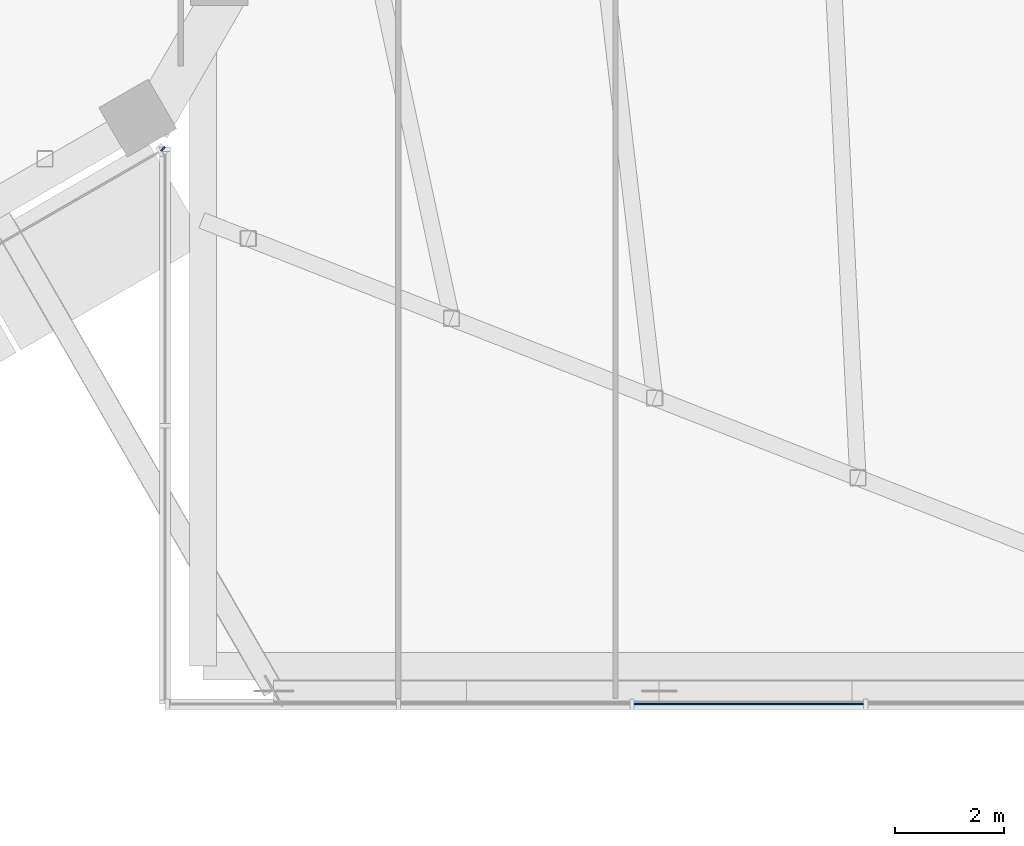
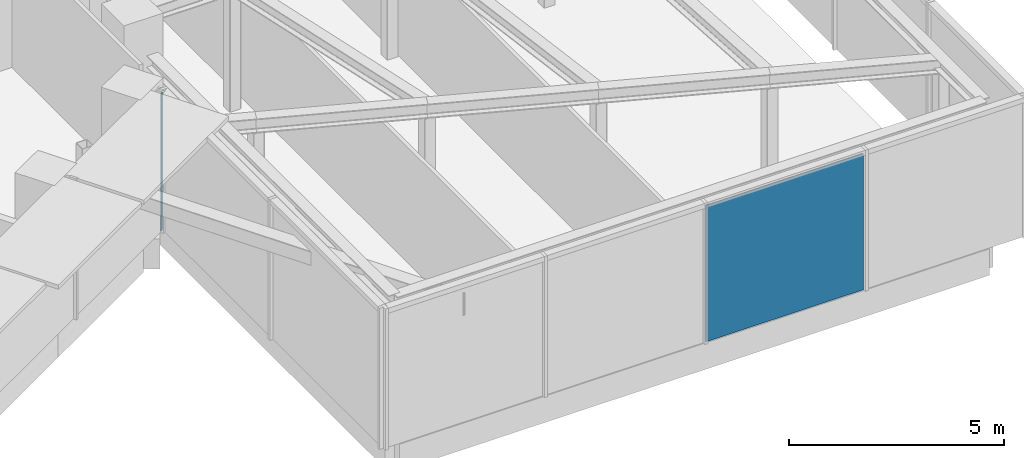
# One storey, part 12 of 24: 2 plates, 2 elements without a shape of their own.
"""IFC4 building model written with IfcOpenShell, lengths in metres."""

from ifc_helpers import new_model, si_unit, direction, frame, origin, origin_2d, place, context, subcontext, project, spatial, rectangle, extrude, material, layer, layer_set, type_object, element, aggregate, save


model = new_model("IFC4")

# Units and contexts
model_context = context("Model", 3, precision=1e-05, world=origin(), true_north=direction((0.0, 1.0)))
body_context = subcontext(model_context, "Body", "Model", "MODEL_VIEW")
ifc_project = project(units=[si_unit("LENGTHUNIT", "METRE"), si_unit("AREAUNIT", "SQUARE_METRE"), si_unit("VOLUMEUNIT", "CUBIC_METRE"), si_unit("PLANEANGLEUNIT", "RADIAN"), si_unit("MASSUNIT", "GRAM", prefix="KILO")], contexts=[model_context])

# Site, building, storey
site_placement = place(None, origin())
site = spatial("IfcSite", under=ifc_project, at=site_placement, CompositionType="ELEMENT")
building_placement = place(site_placement, origin())
building = spatial("IfcBuilding", under=site, at=building_placement, Name="Ayvan Gate Tower", CompositionType="ELEMENT")
storey_placement = place(building_placement, frame((0.0, 0.0, 128.5)))
storey = spatial("IfcBuildingStorey", under=building, at=storey_placement, Name="L34", CompositionType="ELEMENT", Elevation=128.5)

# Curtain wall, plate
ifc_material_1 = material(Name="Bronze anodised aluminium", Category="aluminium")
ifc_layer_1 = layer(ifc_material_1, 0.199951171875)
ifc_layer_set_1 = layer_set([ifc_layer_1], Name="Bronze anodised aluminium")
curtain_wall_type_1 = type_object("IfcCurtainWallType", Name="Stick curtain wall CW-4", PredefinedType="NOTDEFINED", material=ifc_layer_set_1)
curtain_wall_1_placement = place(storey_placement, origin())
curtain_wall_1 = element("IfcCurtainWall", 1, at=curtain_wall_1_placement, inside=storey, type_object=curtain_wall_type_1, Name="Stick curtain wall CW-4 L34", PredefinedType="NOTDEFINED")
ifc_material_2 = material(Name="Pale anodised aluminium composite panel", Category="aluminium")
ifc_layer_2 = layer(ifc_material_2, 0.028076171875)
ifc_layer_set_2 = layer_set([ifc_layer_2], Name="Pale anodised aluminium composite panel")
plate_type_1 = type_object("IfcPlateType", Name="Stick curtain wall CW-4 solid panel", PredefinedType="CURTAIN_PANEL", material=ifc_layer_set_2)
plate_1_placement = place(storey_placement, frame((29.235595703125, -21.949951171875, 0.0), z_axis=(0.0, 0.0, 1.0), x_axis=(1.0, 0.0, 0.0)))
plate_1 = element("IfcPlate", 2, at=plate_1_placement, type_object=plate_type_1, Name="CW-4 solid panel 3", PredefinedType="CURTAIN_PANEL", context=body_context, shape_type="SweptSolid", body=[
    extrude(rectangle(XDim=4.219970703125, YDim=0.028076171875, at=origin_2d()), origin(), (0.0, 0.0, 1.0), 3.860107421875),
])
aggregate(curtain_wall_1, [plate_1])

ifc_layer_3 = layer(ifc_material_1, 0.199951171875)
ifc_layer_set_3 = layer_set([ifc_layer_3], Name="Bronze anodised aluminium")
curtain_wall_type_2 = type_object("IfcCurtainWallType", Name="Stick curtain wall CW-6", PredefinedType="NOTDEFINED", material=ifc_layer_set_3)
curtain_wall_2_placement = place(storey_placement, origin())
curtain_wall_2 = element("IfcCurtainWall", 3, at=curtain_wall_2_placement, inside=storey, type_object=curtain_wall_type_2, Name="Stick curtain wall CW-6 L34", PredefinedType="NOTDEFINED")
ifc_material_3 = material(Name="Clear low-iron laminated glass", Category="glass")
ifc_layer_4 = layer(ifc_material_3, 0.028076171875)
ifc_layer_set_4 = layer_set([ifc_layer_4], Name="Clear low-iron laminated glass")
plate_type_2 = type_object("IfcPlateType", Name="Stick curtain wall CW-6 glass panel", PredefinedType="CURTAIN_PANEL", material=ifc_layer_set_4)
plate_2_placement = place(storey_placement, frame((18.450439453125, -11.72607421875, 0.0), z_axis=(0.0, 0.0, 1.0), x_axis=(0.707106781187, 0.707106781187, 0.0)))
plate_2 = element("IfcPlate", 4, at=plate_2_placement, type_object=plate_type_2, Name="CW-6 glass panel 1", PredefinedType="CURTAIN_PANEL", context=body_context, shape_type="SweptSolid", body=[
    extrude(rectangle(XDim=0.099365234375, YDim=0.028076171875, at=origin_2d()), origin(), (0.0, 0.0, 1.0), 3.8798828125),
])
aggregate(curtain_wall_2, [plate_2])

save(model, "model.ifc")
